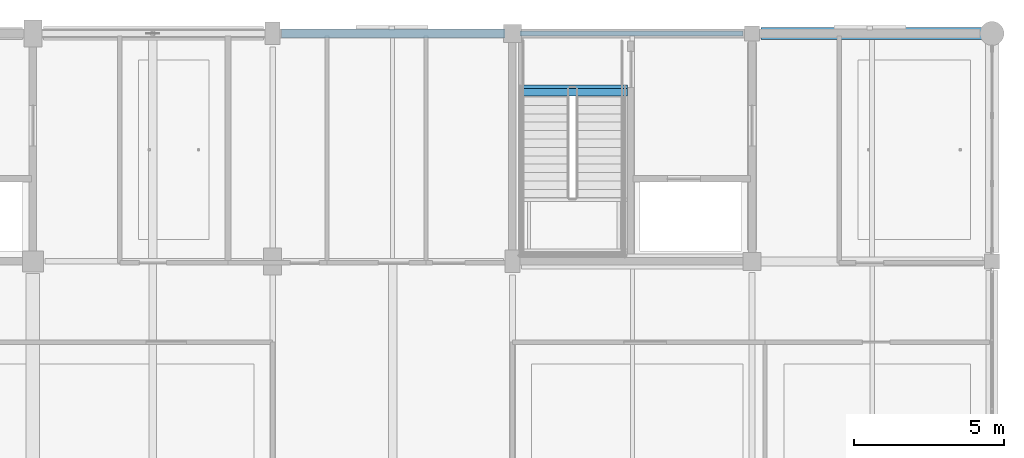
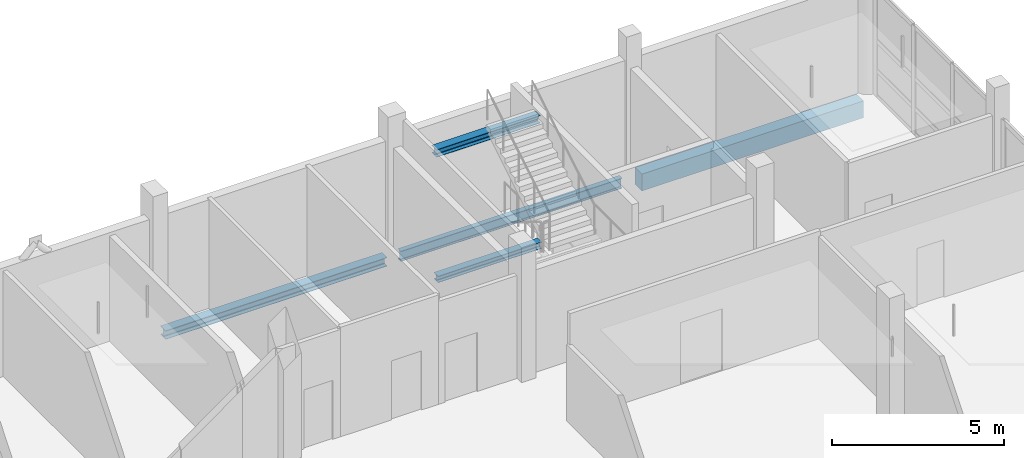
# One storey, part 70 of 141: 5 beams.
"""IFC4 building model written with IfcOpenShell, lengths in metres."""

from ifc_helpers import new_model, si_unit, direction, frame, origin, origin_2d, place, context, subcontext, project, spatial, rectangle, i_section, extrude, material, material_profile, profile_set, type_object, element, save


model = new_model("IFC4")

# Units and contexts
model_context = context("Model", 3, precision=1e-05, world=origin(), true_north=direction((0.0, 1.0)))
body_context = subcontext(model_context, "Body", "Model", "MODEL_VIEW")
ifc_project = project(units=[si_unit("LENGTHUNIT", "METRE"), si_unit("AREAUNIT", "SQUARE_METRE"), si_unit("VOLUMEUNIT", "CUBIC_METRE"), si_unit("PLANEANGLEUNIT", "RADIAN"), si_unit("MASSUNIT", "GRAM", prefix="KILO")], contexts=[model_context])

# Site, building, storey
site_placement = place(None, origin())
site = spatial("IfcSite", under=ifc_project, at=site_placement, CompositionType="ELEMENT")
building_placement = place(site_placement, origin())
building = spatial("IfcBuilding", under=site, at=building_placement, Name="Khelvaren Railside Concert Hall", CompositionType="ELEMENT")
storey_placement = place(building_placement, frame((0.0, 0.0, 10.199951171875)))
storey = spatial("IfcBuildingStorey", under=building, at=storey_placement, Name="L02", CompositionType="ELEMENT", Elevation=10.199951171875)

# Beams
ifc_material_1 = material(Name="Steel S355", Category="steel")
ifc_material_profile_1 = material_profile(ifc_material_1, i_section(OverallWidth=0.239990234375, OverallDepth=0.22998046875, WebThickness=0.007568359375, FlangeThickness=0.011962890625, FilletRadius=0.02099609375, at=origin_2d()), Name="HEA 240")
ifc_profile_set_1 = profile_set([ifc_material_profile_1], Name="Steel S355")
beam_type_1 = type_object("IfcBeamType", Name="BM42", PredefinedType="BEAM", material=ifc_profile_set_1)
beam_1_placement = place(storey_placement, frame((168.344970703125, 112.039306640625, -0.114990234375), z_axis=(1.0, 0.0, 0.0), x_axis=(0.0, 1.0, 0.0)))
element("IfcBeam", 1, at=beam_1_placement, inside=storey, type_object=beam_type_1, Name="ST-10 L02 Stair Foot Trimmer Beam", PredefinedType="BEAM", context=body_context, shape_type="SweptSolid", body=[
    extrude(i_section(OverallWidth=0.239990234375, OverallDepth=0.22998046875, WebThickness=0.007568359375, FlangeThickness=0.011962890625, FilletRadius=0.02099609375, at=origin_2d()), origin(), (0.0, 0.0, 1.0), 3.4951171875),
])
ifc_material_profile_2 = material_profile(ifc_material_1, i_section(OverallWidth=0.280029296875, OverallDepth=0.27001953125, WebThickness=0.008056640625, FlangeThickness=0.012939453125, FilletRadius=0.02392578125, at=origin_2d()), Name="HEA 280")
ifc_profile_set_2 = profile_set([ifc_material_profile_2], Name="Steel S355")
beam_type_2 = type_object("IfcBeamType", Name="BM93", PredefinedType="BEAM", material=ifc_profile_set_2)
beam_2_placement = place(storey_placement, frame((168.344970703125, 112.139892578125, 4.317626953125), z_axis=(1.0, 0.0, 0.0), x_axis=(0.0, 1.0, 0.0)))
element("IfcBeam", 2, at=beam_2_placement, inside=storey, type_object=beam_type_2, Name="ST-10 L02 Stair Top Arrival Trimmer Beam", PredefinedType="BEAM", context=body_context, shape_type="SweptSolid", body=[
    extrude(i_section(OverallWidth=0.280029296875, OverallDepth=0.27001953125, WebThickness=0.008056640625, FlangeThickness=0.012939453125, FilletRadius=0.02392578125, at=origin_2d()), origin(), (0.0, 0.0, 1.0), 3.4951171875),
])
ifc_material_profile_3 = material_profile(ifc_material_1, i_section(OverallWidth=0.300048828125, OverallDepth=0.31005859375, WebThickness=0.009033203125, FlangeThickness=0.015380859375, FilletRadius=0.027099609375, at=origin_2d()), Name="HEA 320")
ifc_profile_set_3 = profile_set([ifc_material_profile_3], Name="Steel S355")
beam_type_3 = type_object("IfcBeamType", Name="SP66", PredefinedType="SPANDREL", material=ifc_profile_set_3)
beam_3_placement = place(storey_placement, frame((160.300048828125, 114.0, -0.445068359375), z_axis=(1.0, 0.0, 0.0), x_axis=(0.0, 1.0, 0.0)))
element("IfcBeam", 3, at=beam_3_placement, inside=storey, type_object=beam_type_3, Name="V5 L02 Spandrel X5.5", PredefinedType="SPANDREL", context=body_context, shape_type="SweptSolid", body=[
    extrude(i_section(OverallWidth=0.300048828125, OverallDepth=0.31005859375, WebThickness=0.009033203125, FlangeThickness=0.015380859375, FilletRadius=0.027099609375, at=origin_2d()), origin(), (0.0, 0.0, 1.0), 7.449951171875),
])
ifc_material_profile_4 = material_profile(ifc_material_1, i_section(OverallWidth=0.169921875, OverallDepth=0.360107421875, WebThickness=0.008056640625, FlangeThickness=0.0126953125, FilletRadius=0.01806640625, at=origin_2d()), Name="IPE 360")
ifc_profile_set_4 = profile_set([ifc_material_profile_4], Name="Steel S355")
beam_type_4 = type_object("IfcBeamType", Name="SP74", PredefinedType="SPANDREL", material=ifc_profile_set_4)
beam_4_placement = place(storey_placement, frame((168.25, 114.0, -0.469970703125), z_axis=(1.0, 0.0, 0.0), x_axis=(0.0, 1.0, 0.0)))
element("IfcBeam", 4, at=beam_4_placement, inside=storey, type_object=beam_type_4, Name="V5 L02 Spandrel X5.6", PredefinedType="SPANDREL", context=body_context, shape_type="SweptSolid", body=[
    extrude(i_section(OverallWidth=0.169921875, OverallDepth=0.360107421875, WebThickness=0.008056640625, FlangeThickness=0.0126953125, FilletRadius=0.01806640625, at=origin_2d()), origin(), (0.0, 0.0, 1.0), 7.449951171875),
])
ifc_material_2 = material(Name="Concrete C40/50", Category="concrete")
ifc_material_profile_5 = material_profile(ifc_material_2, rectangle(XDim=0.39990234375, YDim=0.60009765625, at=origin_2d()), Name="RCB 400x600")
ifc_profile_set_5 = profile_set([ifc_material_profile_5], Name="Concrete C40/50")
beam_type_5 = type_object("IfcBeamType", Name="SP75", PredefinedType="SPANDREL", material=ifc_profile_set_5)
beam_5_placement = place(storey_placement, frame((176.300048828125, 114.0, -0.58984375), z_axis=(1.0, 0.0, 0.0), x_axis=(0.0, 1.0, 0.0)))
element("IfcBeam", 5, at=beam_5_placement, inside=storey, type_object=beam_type_5, Name="V5 L02 Spandrel X5.7", PredefinedType="SPANDREL", context=body_context, shape_type="SweptSolid", body=[
    extrude(rectangle(XDim=0.39990234375, YDim=0.60009765625, at=origin_2d()), origin(), (0.0, 0.0, 1.0), 7.449951171875),
])

save(model, "model.ifc")
